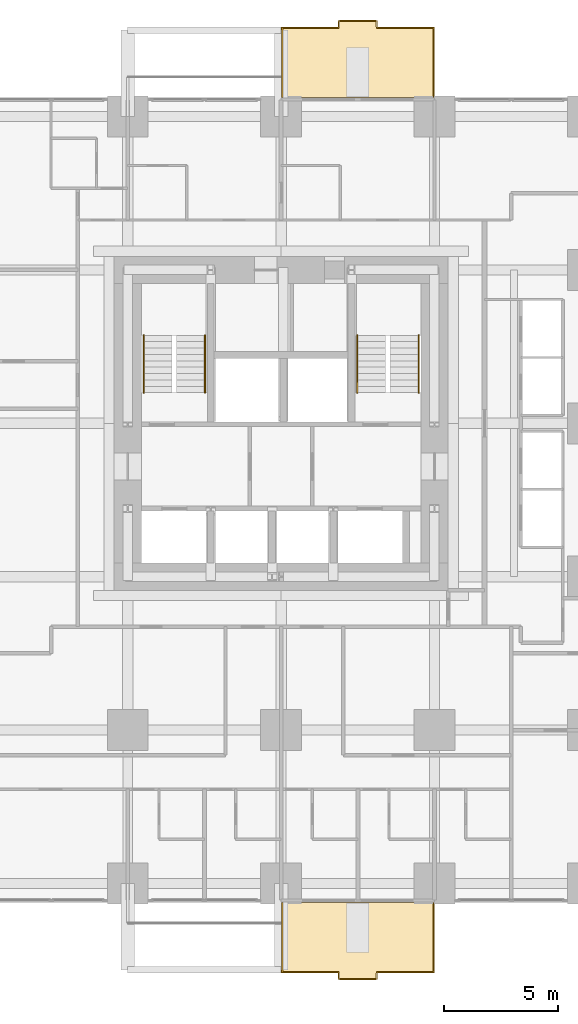
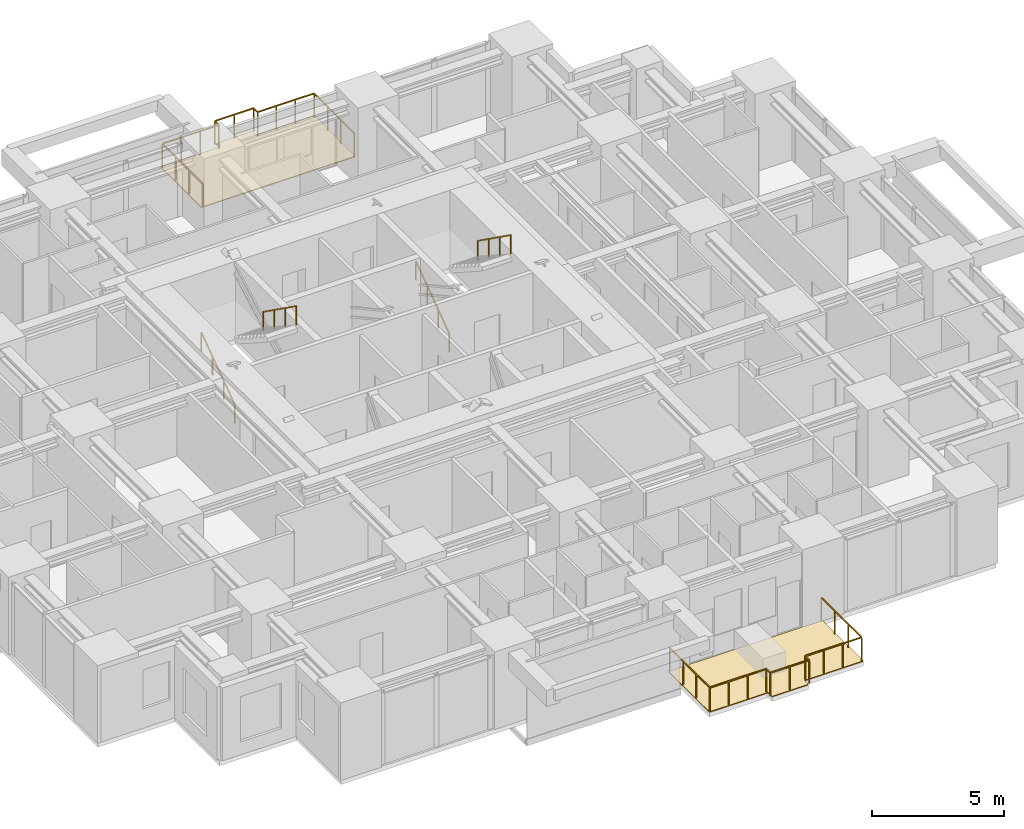
# One storey, part 12 of 12: 6 railings, 2 coverings.
"""IFC4 building model written with IfcOpenShell, lengths in metres."""

from ifc_helpers import new_model, si_unit, direction, frame, origin, origin_2d, place, context, subcontext, project, spatial, polyline, rectangle, outline, extrude, material, layer, layer_set, type_object, element, save


model = new_model("IFC4")

# Units and contexts
model_context = context("Model", 3, precision=1e-05, world=origin(), true_north=direction((0.0, 1.0)))
body_context = subcontext(model_context, "Body", "Model", "MODEL_VIEW")
ifc_project = project(units=[si_unit("LENGTHUNIT", "METRE"), si_unit("AREAUNIT", "SQUARE_METRE"), si_unit("VOLUMEUNIT", "CUBIC_METRE"), si_unit("PLANEANGLEUNIT", "RADIAN"), si_unit("MASSUNIT", "GRAM", prefix="KILO")], contexts=[model_context])

# Site, building, storey
site_placement = place(None, origin())
site = spatial("IfcSite", under=ifc_project, at=site_placement, CompositionType="ELEMENT")
building_placement = place(site_placement, origin())
building = spatial("IfcBuilding", under=site, at=building_placement, Name="Nyansa Garden Tower", CompositionType="ELEMENT")
storey_placement = place(building_placement, frame((0.0, 0.0, 90.89990234375)))
storey = spatial("IfcBuildingStorey", under=building, at=storey_placement, Name="L24", CompositionType="ELEMENT", Elevation=90.89990234375)

# Coverings
ifc_material_1 = material(Name="Hardwood decking on pedestals", Category="wood")
ifc_layer = layer(ifc_material_1, 0.0400390625)
ifc_layer_set = layer_set([ifc_layer], Name="Balcony decking DK40")
covering_type = type_object("IfcCoveringType", Name="Balcony decking DK40", PredefinedType="FLOORING", material=ifc_layer_set)
covering_1_placement = place(storey_placement, frame((0.0, 0.0, -0.039794921875)))
element("IfcCovering", 1, at=covering_1_placement, inside=storey, type_object=covering_type, Name="Balcony decking L24", PredefinedType="FLOORING", context=body_context, shape_type="SweptSolid", body=[
    extrude(outline(polyline([(20.25, -0.85009765625), (27.0, -0.85009765625), (27.0, -3.949951171875), (24.425048828125, -3.949951171875), (24.425048828125, -4.25), (22.824951171875, -4.25), (22.824951171875, -3.949951171875), (20.25, -3.949951171875), (20.25, -0.85009765625)])), origin(), (0.0, 0.0, 1.0), 0.039794921875),
])
covering_2_placement = place(storey_placement, frame((0.0, 0.0, -0.039794921875)))
element("IfcCovering", 2, at=covering_2_placement, inside=storey, type_object=covering_type, Name="Balcony decking L24", PredefinedType="FLOORING", context=body_context, shape_type="SweptSolid", body=[
    extrude(outline(polyline([(20.25, 34.60009765625), (27.0, 34.60009765625), (27.0, 37.699951171875), (24.425048828125, 37.699951171875), (24.425048828125, 38.0), (22.824951171875, 38.0), (22.824951171875, 37.699951171875), (20.25, 37.699951171875), (20.25, 34.60009765625)])), origin(), (0.0, 0.0, 1.0), 0.039794921875),
])

# Railings
ifc_material_2 = material(Name="Black powder-coated steel balusters, laminated glass infill", Category="steel")
railing_type_1 = type_object("IfcRailingType", Name="Balcony guard G1", PredefinedType="GUARDRAIL", material=ifc_material_2)
railing_1_placement = place(storey_placement, frame((20.300048828125, -0.85009765625, 0.0)))
element("IfcRailing", 3, at=railing_1_placement, inside=storey, type_object=railing_type_1, Name="Balcony guard L24", PredefinedType="GUARDRAIL", context=body_context, shape_type="SweptSolid", body=[
    extrude(rectangle(XDim=0.048095703125, YDim=0.048095703125, at=origin_2d()), frame((0.0, 0.0, 1.076171875), z_axis=(0.0, -1.0, 0.0), x_axis=(1.0, 0.0, 0.0)), (0.0, 0.0, 1.0), 3.0498046875),
    extrude(rectangle(XDim=0.048095703125, YDim=0.048095703125, at=origin_2d()), frame((0.0, -3.0498046875, 1.076171875), z_axis=(1.0, 0.0, 0.0), x_axis=(0.0, 1.0, 0.0)), (0.0, 0.0, 1.0), 2.474853515625),
    extrude(rectangle(XDim=0.048095703125, YDim=0.048095703125, at=origin_2d()), frame((2.474853515625, -3.0498046875, 1.076171875), z_axis=(0.0, -1.0, 0.0), x_axis=(1.0, 0.0, 0.0)), (0.0, 0.0, 1.0), 0.300048828125),
    extrude(rectangle(XDim=0.048095703125, YDim=0.048095703125, at=origin_2d()), frame((2.474853515625, -3.349853515625, 1.076171875), z_axis=(1.0, 0.0, 0.0), x_axis=(0.0, 1.0, 0.0)), (0.0, 0.0, 1.0), 1.7001953125),
    extrude(rectangle(XDim=0.048095703125, YDim=0.048095703125, at=origin_2d()), frame((4.175048828125, -3.349853515625, 1.076171875), z_axis=(0.0, 1.0, 0.0), x_axis=(-1.0, 0.0, 0.0)), (0.0, 0.0, 1.0), 0.300048828125),
    extrude(rectangle(XDim=0.048095703125, YDim=0.048095703125, at=origin_2d()), frame((4.175048828125, -3.0498046875, 1.076171875), z_axis=(1.0, 0.0, 0.0), x_axis=(0.0, 1.0, 0.0)), (0.0, 0.0, 1.0), 2.474853515625),
    extrude(rectangle(XDim=0.048095703125, YDim=0.048095703125, at=origin_2d()), frame((6.64990234375, -3.0498046875, 1.076171875), z_axis=(0.0, 1.0, 0.0), x_axis=(-1.0, 0.0, 0.0)), (0.0, 0.0, 1.0), 3.0498046875),
    extrude(rectangle(XDim=0.0419921875, YDim=0.0419921875, at=origin_2d()), origin(), (0.0, 0.0, 1.0), 1.052001953125),
    extrude(rectangle(XDim=0.0419921875, YDim=0.0419921875, at=origin_2d()), frame((0.0, -1.0166015625, 0.0)), (0.0, 0.0, 1.0), 1.052001953125),
    extrude(rectangle(XDim=0.0419921875, YDim=0.0419921875, at=origin_2d()), frame((0.0, -2.033203125, 0.0)), (0.0, 0.0, 1.0), 1.052001953125),
    extrude(rectangle(XDim=0.0419921875, YDim=0.0419921875, at=origin_2d()), frame((0.0, -3.0498046875, 0.0)), (0.0, 0.0, 1.0), 1.052001953125),
    extrude(rectangle(XDim=0.0419921875, YDim=0.0419921875, at=origin_2d()), frame((0.824951171875, -3.0498046875, 0.0)), (0.0, 0.0, 1.0), 1.052001953125),
    extrude(rectangle(XDim=0.0419921875, YDim=0.0419921875, at=origin_2d()), frame((1.64990234375, -3.0498046875, 0.0)), (0.0, 0.0, 1.0), 1.052001953125),
    extrude(rectangle(XDim=0.0419921875, YDim=0.0419921875, at=origin_2d()), frame((2.474853515625, -3.0498046875, 0.0)), (0.0, 0.0, 1.0), 1.052001953125),
    extrude(rectangle(XDim=0.0419921875, YDim=0.0419921875, at=origin_2d()), frame((2.474853515625, -3.349853515625, 0.0)), (0.0, 0.0, 1.0), 1.052001953125),
    extrude(rectangle(XDim=0.0419921875, YDim=0.0419921875, at=origin_2d()), frame((3.324951171875, -3.349853515625, 0.0)), (0.0, 0.0, 1.0), 1.052001953125),
    extrude(rectangle(XDim=0.0419921875, YDim=0.0419921875, at=origin_2d()), frame((4.175048828125, -3.349853515625, 0.0)), (0.0, 0.0, 1.0), 1.052001953125),
    extrude(rectangle(XDim=0.0419921875, YDim=0.0419921875, at=origin_2d()), frame((4.175048828125, -3.0498046875, 0.0)), (0.0, 0.0, 1.0), 1.052001953125),
    extrude(rectangle(XDim=0.0419921875, YDim=0.0419921875, at=origin_2d()), frame((5.0, -3.0498046875, 0.0)), (0.0, 0.0, 1.0), 1.052001953125),
    extrude(rectangle(XDim=0.0419921875, YDim=0.0419921875, at=origin_2d()), frame((5.824951171875, -3.0498046875, 0.0)), (0.0, 0.0, 1.0), 1.052001953125),
    extrude(rectangle(XDim=0.0419921875, YDim=0.0419921875, at=origin_2d()), frame((6.64990234375, -3.0498046875, 0.0)), (0.0, 0.0, 1.0), 1.052001953125),
    extrude(rectangle(XDim=0.0419921875, YDim=0.0419921875, at=origin_2d()), frame((6.64990234375, -2.033203125, 0.0)), (0.0, 0.0, 1.0), 1.052001953125),
    extrude(rectangle(XDim=0.0419921875, YDim=0.0419921875, at=origin_2d()), frame((6.64990234375, -1.0166015625, 0.0)), (0.0, 0.0, 1.0), 1.052001953125),
    extrude(rectangle(XDim=0.0419921875, YDim=0.0419921875, at=origin_2d()), frame((6.64990234375, 0.0, 0.0)), (0.0, 0.0, 1.0), 1.052001953125),
])
railing_2_placement = place(storey_placement, frame((20.300048828125, 34.60009765625, 0.0)))
element("IfcRailing", 4, at=railing_2_placement, inside=storey, type_object=railing_type_1, Name="Balcony guard L24", PredefinedType="GUARDRAIL", context=body_context, shape_type="SweptSolid", body=[
    extrude(rectangle(XDim=0.048095703125, YDim=0.048095703125, at=origin_2d()), frame((0.0, 0.0, 1.076171875), z_axis=(0.0, 1.0, 0.0), x_axis=(-1.0, 0.0, 0.0)), (0.0, 0.0, 1.0), 3.0498046875),
    extrude(rectangle(XDim=0.048095703125, YDim=0.048095703125, at=origin_2d()), frame((0.0, 3.0498046875, 1.076171875), z_axis=(1.0, 0.0, 0.0), x_axis=(0.0, 1.0, 0.0)), (0.0, 0.0, 1.0), 2.474853515625),
    extrude(rectangle(XDim=0.048095703125, YDim=0.048095703125, at=origin_2d()), frame((2.474853515625, 3.0498046875, 1.076171875), z_axis=(0.0, 1.0, 0.0), x_axis=(-1.0, 0.0, 0.0)), (0.0, 0.0, 1.0), 0.300048828125),
    extrude(rectangle(XDim=0.048095703125, YDim=0.048095703125, at=origin_2d()), frame((2.474853515625, 3.349853515625, 1.076171875), z_axis=(1.0, 0.0, 0.0), x_axis=(0.0, 1.0, 0.0)), (0.0, 0.0, 1.0), 1.7001953125),
    extrude(rectangle(XDim=0.048095703125, YDim=0.048095703125, at=origin_2d()), frame((4.175048828125, 3.349853515625, 1.076171875), z_axis=(0.0, -1.0, 0.0), x_axis=(1.0, 0.0, 0.0)), (0.0, 0.0, 1.0), 0.300048828125),
    extrude(rectangle(XDim=0.048095703125, YDim=0.048095703125, at=origin_2d()), frame((4.175048828125, 3.0498046875, 1.076171875), z_axis=(1.0, 0.0, 0.0), x_axis=(0.0, 1.0, 0.0)), (0.0, 0.0, 1.0), 2.474853515625),
    extrude(rectangle(XDim=0.048095703125, YDim=0.048095703125, at=origin_2d()), frame((6.64990234375, 3.0498046875, 1.076171875), z_axis=(0.0, -1.0, 0.0), x_axis=(1.0, 0.0, 0.0)), (0.0, 0.0, 1.0), 3.0498046875),
    extrude(rectangle(XDim=0.0419921875, YDim=0.0419921875, at=origin_2d()), origin(), (0.0, 0.0, 1.0), 1.052001953125),
    extrude(rectangle(XDim=0.0419921875, YDim=0.0419921875, at=origin_2d()), frame((0.0, 1.0166015625, 0.0)), (0.0, 0.0, 1.0), 1.052001953125),
    extrude(rectangle(XDim=0.0419921875, YDim=0.0419921875, at=origin_2d()), frame((0.0, 2.033203125, 0.0)), (0.0, 0.0, 1.0), 1.052001953125),
    extrude(rectangle(XDim=0.0419921875, YDim=0.0419921875, at=origin_2d()), frame((0.0, 3.0498046875, 0.0)), (0.0, 0.0, 1.0), 1.052001953125),
    extrude(rectangle(XDim=0.0419921875, YDim=0.0419921875, at=origin_2d()), frame((0.824951171875, 3.0498046875, 0.0)), (0.0, 0.0, 1.0), 1.052001953125),
    extrude(rectangle(XDim=0.0419921875, YDim=0.0419921875, at=origin_2d()), frame((1.64990234375, 3.0498046875, 0.0)), (0.0, 0.0, 1.0), 1.052001953125),
    extrude(rectangle(XDim=0.0419921875, YDim=0.0419921875, at=origin_2d()), frame((2.474853515625, 3.0498046875, 0.0)), (0.0, 0.0, 1.0), 1.052001953125),
    extrude(rectangle(XDim=0.0419921875, YDim=0.0419921875, at=origin_2d()), frame((2.474853515625, 3.349853515625, 0.0)), (0.0, 0.0, 1.0), 1.052001953125),
    extrude(rectangle(XDim=0.0419921875, YDim=0.0419921875, at=origin_2d()), frame((3.324951171875, 3.349853515625, 0.0)), (0.0, 0.0, 1.0), 1.052001953125),
    extrude(rectangle(XDim=0.0419921875, YDim=0.0419921875, at=origin_2d()), frame((4.175048828125, 3.349853515625, 0.0)), (0.0, 0.0, 1.0), 1.052001953125),
    extrude(rectangle(XDim=0.0419921875, YDim=0.0419921875, at=origin_2d()), frame((4.175048828125, 3.0498046875, 0.0)), (0.0, 0.0, 1.0), 1.052001953125),
    extrude(rectangle(XDim=0.0419921875, YDim=0.0419921875, at=origin_2d()), frame((5.0, 3.0498046875, 0.0)), (0.0, 0.0, 1.0), 1.052001953125),
    extrude(rectangle(XDim=0.0419921875, YDim=0.0419921875, at=origin_2d()), frame((5.824951171875, 3.0498046875, 0.0)), (0.0, 0.0, 1.0), 1.052001953125),
    extrude(rectangle(XDim=0.0419921875, YDim=0.0419921875, at=origin_2d()), frame((6.64990234375, 3.0498046875, 0.0)), (0.0, 0.0, 1.0), 1.052001953125),
    extrude(rectangle(XDim=0.0419921875, YDim=0.0419921875, at=origin_2d()), frame((6.64990234375, 2.033203125, 0.0)), (0.0, 0.0, 1.0), 1.052001953125),
    extrude(rectangle(XDim=0.0419921875, YDim=0.0419921875, at=origin_2d()), frame((6.64990234375, 1.0166015625, 0.0)), (0.0, 0.0, 1.0), 1.052001953125),
    extrude(rectangle(XDim=0.0419921875, YDim=0.0419921875, at=origin_2d()), frame((6.64990234375, 0.0, 0.0)), (0.0, 0.0, 1.0), 1.052001953125),
])
ifc_material_3 = material(Name="Black powder-coated steel tube 48 mm", Category="steel")
railing_type_2 = type_object("IfcRailingType", Name="Stair handrail HR1", PredefinedType="HANDRAIL", material=ifc_material_3)
railing_3_placement = place(storey_placement, frame((14.199951171875, 21.60009765625, 0.0)))
element("IfcRailing", 5, at=railing_3_placement, inside=storey, type_object=railing_type_2, Name="Stair S1 handrail L24", PredefinedType="HANDRAIL", context=body_context, shape_type="SweptSolid", body=[
    extrude(rectangle(XDim=0.048095703125, YDim=0.048095703125, at=origin_2d()), frame((0.0, 0.0, 0.8759765625), z_axis=(0.0, 0.813728144527, 0.581245650998), x_axis=(-1.0, 0.0, 0.0)), (0.0, 0.0, 1.0), 3.096923828125),
    extrude(rectangle(XDim=0.0419921875, YDim=0.0419921875, at=origin_2d()), origin(), (0.0, 0.0, 1.0), 0.851806640625),
    extrude(rectangle(XDim=0.0419921875, YDim=0.0419921875, at=origin_2d()), frame((0.0, 0.840087890625, 0.60009765625)), (0.0, 0.0, 1.0), 0.851806640625),
    extrude(rectangle(XDim=0.0419921875, YDim=0.0419921875, at=origin_2d()), frame((0.0, 1.679931640625, 1.199951171875)), (0.0, 0.0, 1.0), 0.851806640625),
    extrude(rectangle(XDim=0.0419921875, YDim=0.0419921875, at=origin_2d()), frame((0.0, 2.52001953125, 1.800048828125)), (0.0, 0.0, 1.0), 0.851806640625),
])
railing_4_placement = place(storey_placement, frame((16.89990234375, 24.1201171875, 1.800048828125)))
element("IfcRailing", 6, at=railing_4_placement, inside=storey, type_object=railing_type_2, Name="Stair S1 handrail L24", PredefinedType="HANDRAIL", context=body_context, shape_type="SweptSolid", body=[
    extrude(rectangle(XDim=0.048095703125, YDim=0.048095703125, at=origin_2d()), frame((0.0, 0.0, 0.8759765625), z_axis=(0.0, -0.813728144527, 0.581245650998), x_axis=(1.0, 0.0, 0.0)), (0.0, 0.0, 1.0), 3.096923828125),
    extrude(rectangle(XDim=0.0419921875, YDim=0.0419921875, at=origin_2d()), origin(), (0.0, 0.0, 1.0), 0.851806640625),
    extrude(rectangle(XDim=0.0419921875, YDim=0.0419921875, at=origin_2d()), frame((0.0, -0.840087890625, 0.60009765625)), (0.0, 0.0, 1.0), 0.851806640625),
    extrude(rectangle(XDim=0.0419921875, YDim=0.0419921875, at=origin_2d()), frame((0.0, -1.679931640625, 1.199951171875)), (0.0, 0.0, 1.0), 0.851806640625),
    extrude(rectangle(XDim=0.0419921875, YDim=0.0419921875, at=origin_2d()), frame((0.0, -2.52001953125, 1.800048828125)), (0.0, 0.0, 1.0), 0.851806640625),
])
railing_5_placement = place(storey_placement, frame((23.60009765625, 21.60009765625, 0.0)))
element("IfcRailing", 7, at=railing_5_placement, inside=storey, type_object=railing_type_2, Name="Stair S2 handrail L24", PredefinedType="HANDRAIL", context=body_context, shape_type="SweptSolid", body=[
    extrude(rectangle(XDim=0.048095703125, YDim=0.048095703125, at=origin_2d()), frame((0.0, 0.0, 0.8759765625), z_axis=(0.0, 0.813728144527, 0.581245650998), x_axis=(-1.0, 0.0, 0.0)), (0.0, 0.0, 1.0), 3.096923828125),
    extrude(rectangle(XDim=0.0419921875, YDim=0.0419921875, at=origin_2d()), origin(), (0.0, 0.0, 1.0), 0.851806640625),
    extrude(rectangle(XDim=0.0419921875, YDim=0.0419921875, at=origin_2d()), frame((0.0, 0.840087890625, 0.60009765625)), (0.0, 0.0, 1.0), 0.851806640625),
    extrude(rectangle(XDim=0.0419921875, YDim=0.0419921875, at=origin_2d()), frame((0.0, 1.679931640625, 1.199951171875)), (0.0, 0.0, 1.0), 0.851806640625),
    extrude(rectangle(XDim=0.0419921875, YDim=0.0419921875, at=origin_2d()), frame((0.0, 2.52001953125, 1.800048828125)), (0.0, 0.0, 1.0), 0.851806640625),
])
railing_6_placement = place(storey_placement, frame((26.300048828125, 24.1201171875, 1.800048828125)))
element("IfcRailing", 8, at=railing_6_placement, inside=storey, type_object=railing_type_2, Name="Stair S2 handrail L24", PredefinedType="HANDRAIL", context=body_context, shape_type="SweptSolid", body=[
    extrude(rectangle(XDim=0.048095703125, YDim=0.048095703125, at=origin_2d()), frame((0.0, 0.0, 0.8759765625), z_axis=(0.0, -0.813728144527, 0.581245650998), x_axis=(1.0, 0.0, 0.0)), (0.0, 0.0, 1.0), 3.096923828125),
    extrude(rectangle(XDim=0.0419921875, YDim=0.0419921875, at=origin_2d()), origin(), (0.0, 0.0, 1.0), 0.851806640625),
    extrude(rectangle(XDim=0.0419921875, YDim=0.0419921875, at=origin_2d()), frame((0.0, -0.840087890625, 0.60009765625)), (0.0, 0.0, 1.0), 0.851806640625),
    extrude(rectangle(XDim=0.0419921875, YDim=0.0419921875, at=origin_2d()), frame((0.0, -1.679931640625, 1.199951171875)), (0.0, 0.0, 1.0), 0.851806640625),
    extrude(rectangle(XDim=0.0419921875, YDim=0.0419921875, at=origin_2d()), frame((0.0, -2.52001953125, 1.800048828125)), (0.0, 0.0, 1.0), 0.851806640625),
])

save(model, "model.ifc")
